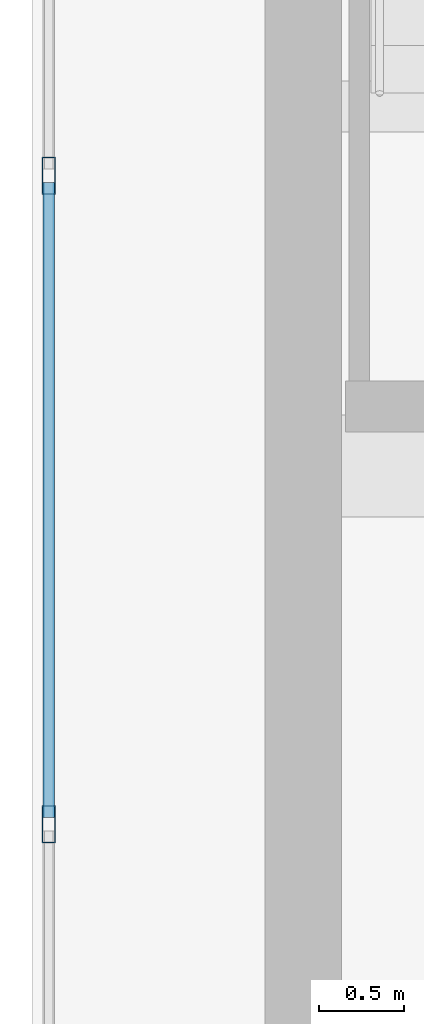
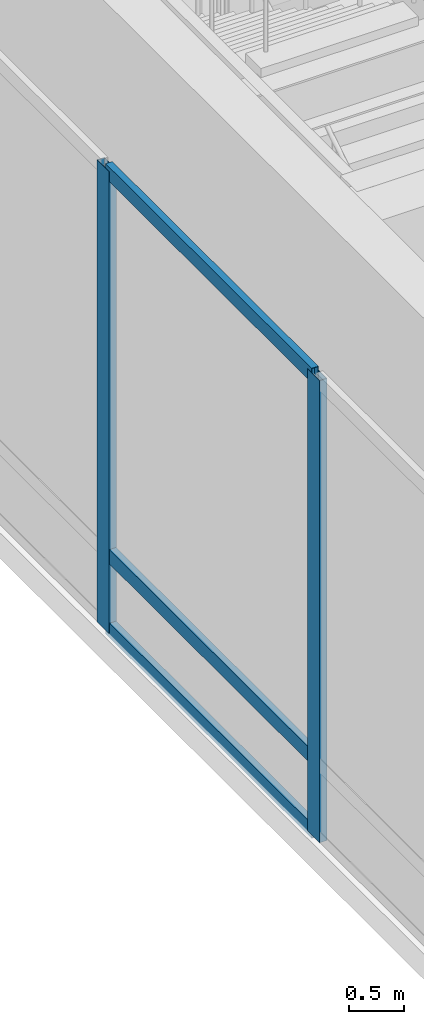
# One storey, part 9 of 30: 5 members, 1 element without a shape of its own.
"""IFC4 building model written with IfcOpenShell, lengths in metres."""

from ifc_helpers import new_model, si_unit, direction, frame, origin, origin_2d, place, context, subcontext, project, spatial, hollow_rectangle, extrude, source, transform, mapped, material, layer, layer_set, material_profile, profile_set, type_object, type_shapes, element, aggregate, save


model = new_model("IFC4")

# Units and contexts
model_context = context("Model", 3, precision=1e-05, world=origin(), true_north=direction((0.0, 1.0)))
body_context = subcontext(model_context, "Body", "Model", "MODEL_VIEW")
ifc_project = project(units=[si_unit("LENGTHUNIT", "METRE"), si_unit("AREAUNIT", "SQUARE_METRE"), si_unit("VOLUMEUNIT", "CUBIC_METRE"), si_unit("PLANEANGLEUNIT", "RADIAN"), si_unit("MASSUNIT", "GRAM", prefix="KILO")], contexts=[model_context])

# Site, building, storey
site_placement = place(None, origin())
site = spatial("IfcSite", under=ifc_project, at=site_placement, CompositionType="ELEMENT")
building_placement = place(site_placement, origin())
building = spatial("IfcBuilding", under=site, at=building_placement, Name="Haelvirn Gate Laboratories", CompositionType="ELEMENT")
storey_placement = place(building_placement, frame((0.0, 0.0, 332.39990234375)))
storey = spatial("IfcBuildingStorey", under=building, at=storey_placement, Name="L79", CompositionType="ELEMENT", Elevation=332.39990234375)

# Curtain wall, members
ifc_material_1 = material(Name="Anodised bronze unitised aluminium & triple low-E glass", Category="aluminium")
ifc_layer = layer(ifc_material_1, 0.19189453125, Name="CW-SYS-6")
ifc_layer_set = layer_set([ifc_layer], Name="Anodised bronze unitised aluminium & triple low-E glass")
curtain_wall_type = type_object("IfcCurtainWallType", Name="CW-SYS-6", PredefinedType="NOTDEFINED", material=ifc_layer_set)
curtain_wall_placement = place(storey_placement, origin())
curtain_wall = element("IfcCurtainWall", 1, at=curtain_wall_placement, inside=storey, type_object=curtain_wall_type, Name="L79 Unitised Curtain Wall CW-L79-P0-E17", PredefinedType="NOTDEFINED")
ifc_material_2 = material(Name="Extruded aluminium 6063-T6 (anodised bronze)", Category="aluminium")
ifc_material_profile_1 = material_profile(ifc_material_2, hollow_rectangle(XDim=0.080078125, YDim=0.219970703125, WallThickness=0.006103515625, at=origin_2d()), Name="CWM-220x80x6")
ifc_profile_set_1 = profile_set([ifc_material_profile_1], Name="Extruded aluminium 6063-T6 (anodised bronze)")
member_type_1 = type_object("IfcMemberType", Name="CWM-T220", PredefinedType="MULLION", material=ifc_profile_set_1)
shared_shape_1 = source(origin(), body_context, "Body", "SweptSolid", [
    extrude(hollow_rectangle(XDim=0.080078125, YDim=0.219970703125, WallThickness=0.006103515625, at=origin_2d()), origin(), (0.0, 0.0, 1.0), 5.1201171875),
])
type_shapes(member_type_1, [shared_shape_1])
member_1_placement = place(storey_placement, frame((5.89990234375, 26.211181640625, 0.0), z_axis=(0.0, 0.0, 1.0), x_axis=(1.0, 0.0, 0.0)))
member_1 = element("IfcMember", 2, at=member_1_placement, type_object=member_type_1, Name="CW6 mullion 5", PredefinedType="MULLION", context=body_context, shape_type="MappedRepresentation", body=[
    mapped(shared_shape_1, transform((0.0, 0.0, 0.0), scale=1.0)),
])
member_2_placement = place(storey_placement, frame((5.89990234375, 22.388916015625, 0.0), z_axis=(0.0, 0.0, 1.0), x_axis=(1.0, 0.0, 0.0)))
member_2 = element("IfcMember", 3, at=member_2_placement, type_object=member_type_1, Name="CW6 mullion 6", PredefinedType="MULLION", context=body_context, shape_type="MappedRepresentation", body=[
    mapped(shared_shape_1, transform((0.0, 0.0, 0.0), scale=1.0)),
])
ifc_material_profile_2 = material_profile(ifc_material_2, hollow_rectangle(XDim=0.070068359375, YDim=0.159912109375, WallThickness=0.0048828125, at=origin_2d()), Name="CWT-160x70x5")
ifc_profile_set_2 = profile_set([ifc_material_profile_2], Name="Extruded aluminium 6063-T6 (anodised bronze)")
member_type_2 = type_object("IfcMemberType", Name="CWT-T160", PredefinedType="USERDEFINED", material=ifc_profile_set_2)
shared_shape_2 = source(origin(), body_context, "Body", "SweptSolid", [
    extrude(hollow_rectangle(XDim=0.070068359375, YDim=0.159912109375, WallThickness=0.0048828125, at=origin_2d()), origin(), (0.0, 0.0, 1.0), 3.7421875),
])
type_shapes(member_type_2, [shared_shape_2])
member_3_placement = place(storey_placement, frame((5.89990234375, 26.171142578125, 0.03515625), z_axis=(0.0, -1.0, 0.0), x_axis=(1.0, 0.0, 0.0)))
member_3 = element("IfcMember", 4, at=member_3_placement, type_object=member_type_2, Name="CW6 transom 5.1", ObjectType="TRANSOM", PredefinedType="USERDEFINED", context=body_context, shape_type="MappedRepresentation", body=[
    mapped(shared_shape_2, transform((0.0, 0.0, 0.0), scale=1.0)),
])
member_4_placement = place(storey_placement, frame((5.89990234375, 26.171142578125, 0.85009765625), z_axis=(0.0, -1.0, 0.0), x_axis=(1.0, 0.0, 0.0)))
member_4 = element("IfcMember", 5, at=member_4_placement, type_object=member_type_2, Name="CW6 transom 5.2", ObjectType="TRANSOM", PredefinedType="USERDEFINED", context=body_context, shape_type="MappedRepresentation", body=[
    mapped(shared_shape_2, transform((0.0, 0.0, 0.0), scale=1.0)),
])
member_5_placement = place(storey_placement, frame((5.89990234375, 26.171142578125, 5.085205078125), z_axis=(0.0, -1.0, 0.0), x_axis=(1.0, 0.0, 0.0)))
member_5 = element("IfcMember", 6, at=member_5_placement, type_object=member_type_2, Name="CW6 transom 5.3", ObjectType="TRANSOM", PredefinedType="USERDEFINED", context=body_context, shape_type="MappedRepresentation", body=[
    mapped(shared_shape_2, transform((0.0, 0.0, 0.0), scale=1.0)),
])
aggregate(curtain_wall, [member_1, member_2, member_3, member_4, member_5])

save(model, "model.ifc")
